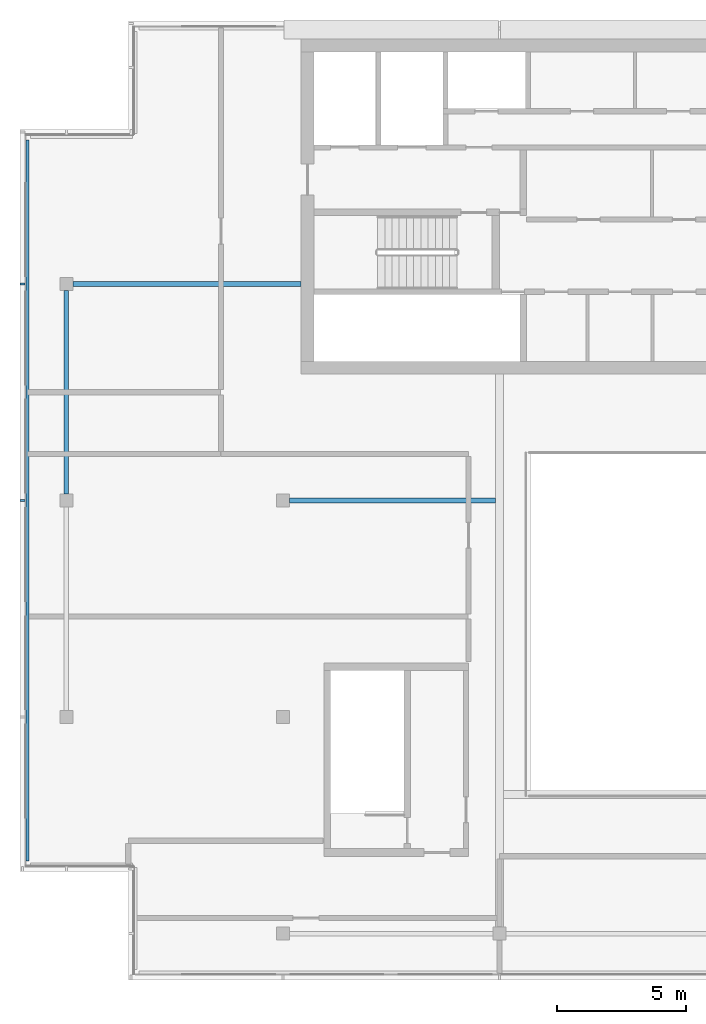
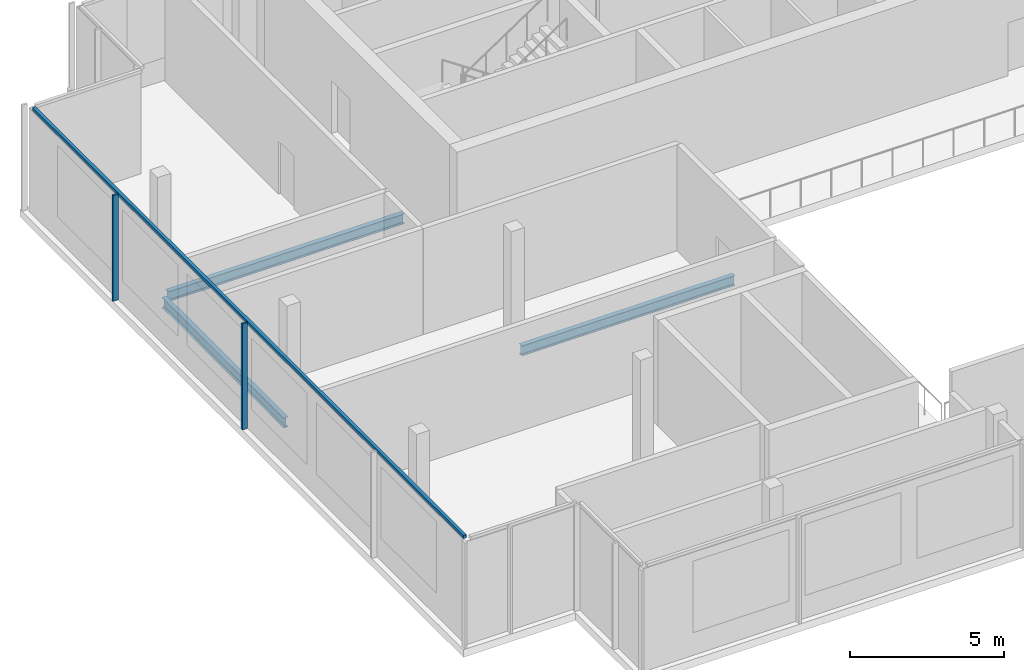
# One storey, part 4 of 14: 3 beams, 3 members, 1 element without a shape of its own.
"""IFC4 building model written with IfcOpenShell, lengths in metres."""

from ifc_helpers import new_model, si_unit, direction, frame, origin, origin_2d, place, context, subcontext, project, spatial, rectangle, i_section, extrude, material, material_profile, profile_set, type_object, element, aggregate, save


model = new_model("IFC4")

# Units and contexts
model_context = context("Model", 3, precision=1e-05, world=origin(), true_north=direction((0.0, 1.0)))
body_context = subcontext(model_context, "Body", "Model", "MODEL_VIEW")
ifc_project = project(units=[si_unit("LENGTHUNIT", "METRE"), si_unit("AREAUNIT", "SQUARE_METRE"), si_unit("VOLUMEUNIT", "CUBIC_METRE"), si_unit("PLANEANGLEUNIT", "RADIAN"), si_unit("MASSUNIT", "GRAM", prefix="KILO")], contexts=[model_context])

# Site, building, storey
site_placement = place(None, origin())
site = spatial("IfcSite", under=ifc_project, at=site_placement, CompositionType="ELEMENT")
building_placement = place(site_placement, origin())
building = spatial("IfcBuilding", under=site, at=building_placement, Name="Saffron Gate Tower", CompositionType="ELEMENT")
storey_placement = place(building_placement, frame((0.0, 0.0, 310.35009765625)))
storey = spatial("IfcBuildingStorey", under=building, at=storey_placement, Name="L76", CompositionType="ELEMENT", Elevation=310.35009765625)

# Beams
ifc_material_1 = material(Name="Structural steel S355", Category="steel")
ifc_material_profile_1 = material_profile(ifc_material_1, i_section(OverallWidth=0.179931640625, OverallDepth=0.39990234375, WebThickness=0.008544921875, FlangeThickness=0.013427734375, FilletRadius=0.02099609375, at=origin_2d()))
ifc_profile_set_1 = profile_set([ifc_material_profile_1], Name="Structural steel S355")
beam_type_1 = type_object("IfcBeamType", Name="B4 IPE 400", PredefinedType="BEAM", material=ifc_profile_set_1)
beam_1_placement = place(storey_placement, frame((66.85009765625, 57.0, -0.5), z_axis=(1.0, 0.0, 0.0), x_axis=(0.0, 1.0, 0.0)))
element("IfcBeam", 1, at=beam_1_placement, inside=storey, type_object=beam_type_1, Name="B4 CORE TIE BEAM", PredefinedType="BEAM", context=body_context, shape_type="SweptSolid", body=[
    extrude(i_section(OverallWidth=0.179931640625, OverallDepth=0.39990234375, WebThickness=0.008544921875, FlangeThickness=0.013427734375, FilletRadius=0.02099609375, at=origin_2d()), origin(), (0.0, 0.0, 1.0), 8.0),
])
beam_2_placement = place(storey_placement, frame((58.449951171875, 65.39990234375, -0.5), z_axis=(1.0, 0.0, 0.0), x_axis=(0.0, 1.0, 0.0)))
element("IfcBeam", 2, at=beam_2_placement, inside=storey, type_object=beam_type_1, Name="B4 CORE TIE BEAM", PredefinedType="BEAM", context=body_context, shape_type="SweptSolid", body=[
    extrude(i_section(OverallWidth=0.179931640625, OverallDepth=0.39990234375, WebThickness=0.008544921875, FlangeThickness=0.013427734375, FilletRadius=0.02099609375, at=origin_2d()), origin(), (0.0, 0.0, 1.0), 8.85009765625),
])
ifc_material_profile_2 = material_profile(ifc_material_1, i_section(OverallWidth=0.179931640625, OverallDepth=0.39990234375, WebThickness=0.008544921875, FlangeThickness=0.013427734375, FilletRadius=0.02099609375, at=origin_2d()))
ifc_profile_set_2 = profile_set([ifc_material_profile_2], Name="Structural steel S355")
beam_type_2 = type_object("IfcBeamType", Name="B5 IPE 400", PredefinedType="SPANDREL", material=ifc_profile_set_2)
beam_3_placement = place(storey_placement, frame((58.199951171875, 57.25, -0.5), z_axis=(0.0, 1.0, 0.0), x_axis=(-1.0, 0.0, 0.0)))
element("IfcBeam", 3, at=beam_3_placement, inside=storey, type_object=beam_type_2, Name="B5 SPANDREL BEAM", PredefinedType="SPANDREL", context=body_context, shape_type="SweptSolid", body=[
    extrude(i_section(OverallWidth=0.179931640625, OverallDepth=0.39990234375, WebThickness=0.008544921875, FlangeThickness=0.013427734375, FilletRadius=0.02099609375, at=origin_2d()), origin(), (0.0, 0.0, 1.0), 7.89990234375),
])

# Curtain wall, members
ifc_material_2 = material(Name="Aluminium, bronze anodised", Category="aluminium")
curtain_wall_type = type_object("IfcCurtainWallType", Name="CWS6 curtain wall tall storeys", PredefinedType="NOTDEFINED", material=ifc_material_2)
curtain_wall_placement = place(storey_placement, origin())
curtain_wall = element("IfcCurtainWall", 4, at=curtain_wall_placement, inside=storey, type_object=curtain_wall_type, Name="CWS6 run 10", PredefinedType="NOTDEFINED")
ifc_material_profile_3 = material_profile(ifc_material_2, rectangle(XDim=0.1201171875, YDim=0.1201171875, at=origin_2d()))
ifc_profile_set_3 = profile_set([ifc_material_profile_3], Name="Aluminium, bronze anodised")
member_type_1 = type_object("IfcMemberType", Name="CWS6 head transom", PredefinedType="USERDEFINED", material=ifc_profile_set_3)
member_1_placement = place(storey_placement, frame((56.68798828125, 70.991943359375, 4.139892578125), z_axis=(0.0, -1.0, 0.0), x_axis=(1.0, 0.0, 0.0)))
member_1 = element("IfcMember", 5, at=member_1_placement, type_object=member_type_1, Name="CWS6 head transom", ObjectType="TRANSOM", PredefinedType="USERDEFINED", context=body_context, shape_type="SweptSolid", body=[
    extrude(rectangle(XDim=0.1201171875, YDim=0.1201171875, at=origin_2d()), origin(), (0.0, 0.0, 1.0), 27.98388671875),
])
ifc_material_profile_4 = material_profile(ifc_material_2, rectangle(XDim=0.199951171875, YDim=0.080078125, at=origin_2d()))
ifc_profile_set_4 = profile_set([ifc_material_profile_4], Name="Aluminium, bronze anodised")
member_type_2 = type_object("IfcMemberType", Name="CWS6 mullion 80x200", PredefinedType="MULLION", material=ifc_profile_set_4)
member_2_placement = place(storey_placement, frame((56.5, 65.39990234375, 0.0), z_axis=(0.0, 0.0, 1.0), x_axis=(1.0, 0.0, 0.0)))
member_2 = element("IfcMember", 6, at=member_2_placement, type_object=member_type_2, Name="CWS6 mullion 2", PredefinedType="MULLION", context=body_context, shape_type="SweptSolid", body=[
    extrude(rectangle(XDim=0.199951171875, YDim=0.080078125, at=origin_2d()), origin(), (0.0, 0.0, 1.0), 4.199951171875),
])
member_3_placement = place(storey_placement, frame((56.5, 57.0, 0.0), z_axis=(0.0, 0.0, 1.0), x_axis=(1.0, 0.0, 0.0)))
member_3 = element("IfcMember", 7, at=member_3_placement, type_object=member_type_2, Name="CWS6 mullion 3", PredefinedType="MULLION", context=body_context, shape_type="SweptSolid", body=[
    extrude(rectangle(XDim=0.199951171875, YDim=0.080078125, at=origin_2d()), origin(), (0.0, 0.0, 1.0), 4.199951171875),
])
aggregate(curtain_wall, [member_2, member_3, member_1])

save(model, "model.ifc")
